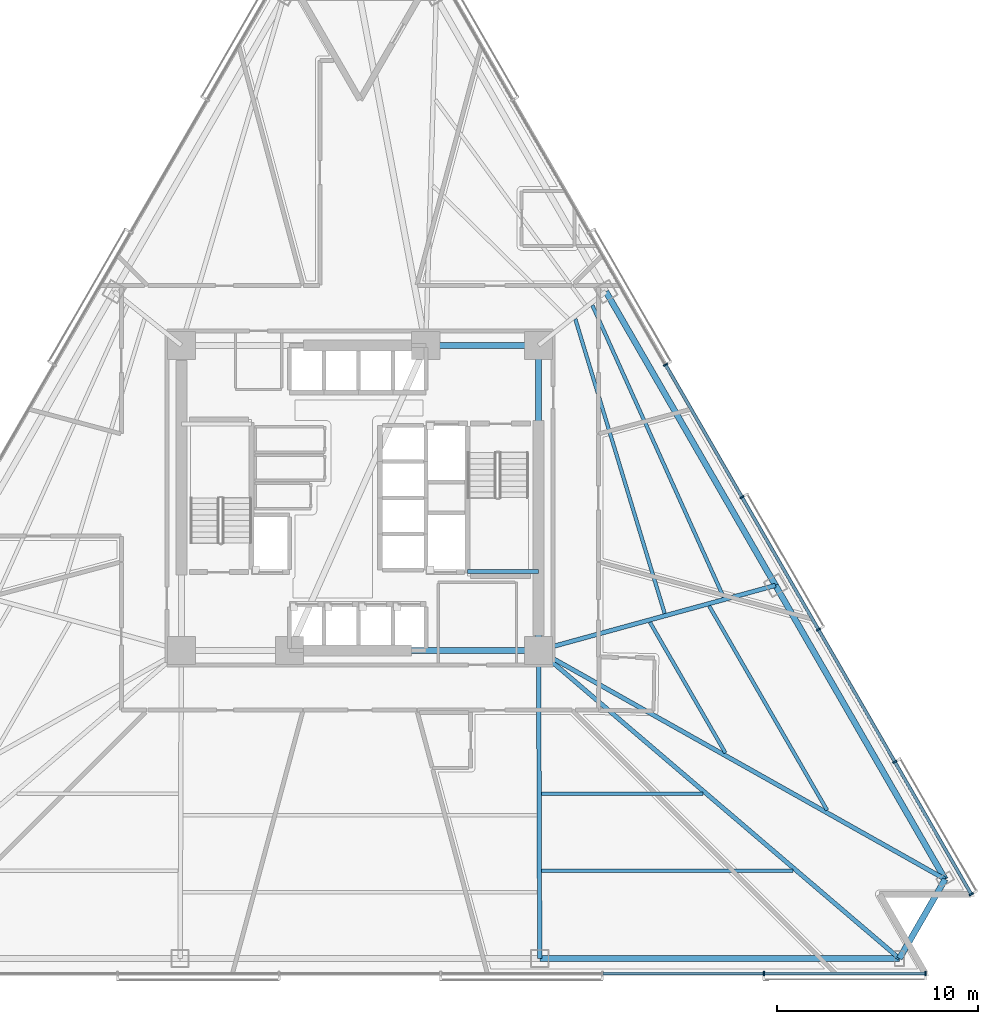
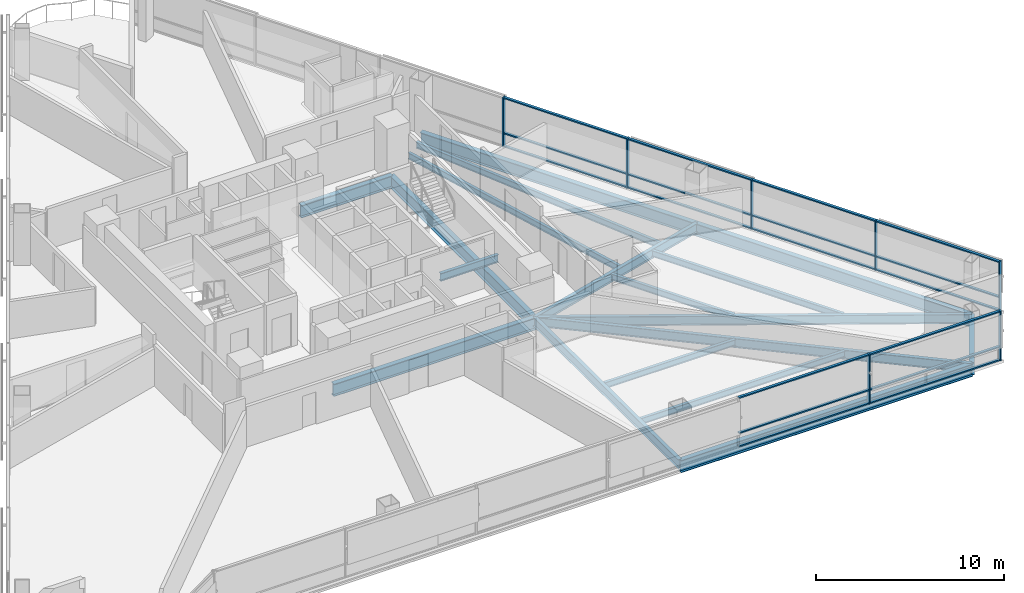
# One storey, part 4 of 16: 25 members, 18 beams, 2 elements without a shape of their own.
"""IFC4 building model written with IfcOpenShell, lengths in metres."""

import ifcopenshell
import ifcopenshell.guid

model = None  # the IFC model being written
_history = None  # IfcOwnerHistory: only IFC2X3 demands one
_inside = {}  # id of a spatial element -> (the spatial element, [elements in it])
_under = {}  # id of a project, library or spatial element -> (it, [spatial elements below it])
_declared = {}  # id of a project -> (the project, [libraries it declares])
_typed = {}  # id of a type object -> (the type object, [elements of that type])
_made_of = {}  # id of a material, layer set ... -> (it, [elements and type objects made of it])


def new_model(schema):
    """Start an empty IFC model of exactly this schema.

    Asked for "IFC4X3", IfcOpenShell would pick the latest addendum, in which some entities
    have other attributes; the version numbers below select the first issue.
    IFC2X3 requires an IfcOwnerHistory on every rooted entity: one is made here for all.
    """
    global model, _history
    if schema == "IFC4X3":
        model = ifcopenshell.file(schema_version=(4, 3, 0, 0))
    else:
        model = ifcopenshell.file(schema=schema)
    _inside.clear()
    _under.clear()
    _declared.clear()
    _typed.clear()
    _made_of.clear()
    _history = None
    if model.schema == "IFC2X3":
        org = make("IfcOrganization", Name="unknown")
        user = make(
            "IfcPersonAndOrganization",
            ThePerson=make("IfcPerson", FamilyName="unknown"),
            TheOrganization=org,
        )
        app = make(
            "IfcApplication",
            ApplicationDeveloper=org,
            Version="unknown",
            ApplicationFullName="unknown",
            ApplicationIdentifier="unknown",
        )
        _history = make(
            "IfcOwnerHistory",
            OwningUser=user,
            OwningApplication=app,
            ChangeAction="ADDED",
            CreationDate=0,
        )
    return model


def make(cls, **values):
    """One entity of the class cls with the attributes given. An attribute that is None is left unset."""
    return model.create_entity(
        cls, **{name: value for name, value in values.items() if value is not None}
    )


def rooted(cls, **values):
    """An entity with a GlobalId (a new one), such as an element, a storey or a relation."""
    return make(cls, GlobalId=ifcopenshell.guid.new(), OwnerHistory=_history, **values)


def si_unit(unit_type, name, prefix=None):
    """IfcSIUnit, for example si_unit("LENGTHUNIT", "METRE", prefix="MILLI")."""
    return make("IfcSIUnit", UnitType=unit_type, Prefix=prefix, Name=name)


def assignment(units):
    """IfcUnitAssignment: the units of a project."""
    return None if units is None else make("IfcUnitAssignment", Units=units)


def point(xyz):
    """IfcCartesianPoint."""
    return None if xyz is None else make("IfcCartesianPoint", Coordinates=xyz)


def direction(xyz):
    """IfcDirection."""
    return None if xyz is None else make("IfcDirection", DirectionRatios=xyz)


def frame(location, z_axis=None, x_axis=None):
    """IfcAxis2Placement3D, a coordinate frame: its origin and axes. An axis left out is left unset."""
    return make(
        "IfcAxis2Placement3D",
        Location=point(location),
        Axis=direction(z_axis),
        RefDirection=direction(x_axis),
    )


def frame_2d(location, x_axis=None):
    """IfcAxis2Placement2D, a coordinate frame in the plane: its origin and x axis."""
    return make(
        "IfcAxis2Placement2D", Location=point(location), RefDirection=direction(x_axis)
    )


def origin():
    """The frame at (0, 0, 0) with its axes left unset."""
    return frame((0.0, 0.0, 0.0))


def origin_2d():
    """The frame at (0, 0) in the plane with its x axis left unset."""
    return frame_2d((0.0, 0.0))


def place(relative_to, where):
    """IfcLocalPlacement: puts the frame where relative to a parent placement (None: the world)."""
    return make(
        "IfcLocalPlacement", PlacementRelTo=relative_to, RelativePlacement=where
    )


def context(
    kind, dimensions, precision=None, world=None, true_north=None, identifier=None
):
    """IfcGeometricRepresentationContext, for example the 3D "Model" context."""
    return make(
        "IfcGeometricRepresentationContext",
        ContextIdentifier=identifier,
        ContextType=kind,
        CoordinateSpaceDimension=dimensions,
        Precision=precision,
        WorldCoordinateSystem=world,
        TrueNorth=true_north,
    )


def subcontext(parent, identifier, kind, view, scale=None):
    """IfcGeometricRepresentationSubContext, for example "Body" below "Model"."""
    return make(
        "IfcGeometricRepresentationSubContext",
        ContextIdentifier=identifier,
        ContextType=kind,
        ParentContext=parent,
        TargetScale=scale,
        TargetView=view,
    )


def project(units=None, contexts=None):
    """IfcProject with its units and contexts."""
    return rooted(
        "IfcProject",
        Name="project",
        RepresentationContexts=contexts,
        UnitsInContext=assignment(units),
    )


def spatial(cls, under=None, at=None, **own):
    """A site, building, storey or space (cls), placed at a placement, below another one or the project."""
    s = rooted(cls, ObjectPlacement=at, **own)
    if under is not None:
        _under.setdefault(under.id(), (under, []))[1].append(s)
    return s


def profile(cls, at=None, kind="AREA", **sizes):
    """A parametric profile (cls). Its sizes go by their IFC names, for example OverallWidth=200.0."""
    return make(cls, ProfileType=kind, Position=at, **sizes)


def rectangle(**sizes):
    """IfcRectangleProfileDef."""
    return profile("IfcRectangleProfileDef", **sizes)


def i_section(**sizes):
    """IfcIShapeProfileDef."""
    return profile("IfcIShapeProfileDef", **sizes)


def extrude(swept, where, along, depth):
    """IfcExtrudedAreaSolid: the profile swept, set in the frame where, extruded along a direction by depth."""
    return make(
        "IfcExtrudedAreaSolid",
        SweptArea=swept,
        Position=where,
        ExtrudedDirection=direction(along),
        Depth=depth,
    )


def shape(context_of_items, identifier, shape_type, items):
    """IfcShapeRepresentation: the items that make up one representation, for example the "Body"."""
    return make(
        "IfcShapeRepresentation",
        ContextOfItems=context_of_items,
        RepresentationIdentifier=identifier,
        RepresentationType=shape_type,
        Items=items,
    )


def material(Name=None, Category=None):
    """IfcMaterial."""
    return make("IfcMaterial", Name=Name, Category=Category)


def layer(
    of_material, thickness, ventilated=None, Name=None, Category=None, Priority=None
):
    """IfcMaterialLayer: one layer of a wall or slab, of a material (None: an air gap)."""
    return make(
        "IfcMaterialLayer",
        Material=of_material,
        LayerThickness=thickness,
        IsVentilated=ventilated,
        Name=Name,
        Category=Category,
        Priority=Priority,
    )


def layer_set(layers, Name=None):
    """IfcMaterialLayerSet."""
    return make("IfcMaterialLayerSet", MaterialLayers=layers, LayerSetName=Name)


def material_profile(
    of_material, cross_section, Name=None, Category=None, Priority=None
):
    """IfcMaterialProfile: a cross section and its material."""
    return make(
        "IfcMaterialProfile",
        Name=Name,
        Material=of_material,
        Profile=cross_section,
        Priority=Priority,
        Category=Category,
    )


def profile_set(profiles, Name=None, composite=None):
    """IfcMaterialProfileSet."""
    return make(
        "IfcMaterialProfileSet",
        Name=Name,
        MaterialProfiles=profiles,
        CompositeProfile=composite,
    )


def made_of(thing, what):
    """Note that an element or type object is made of a material, layer set ...; save() writes the relation."""
    if what is not None:
        _made_of.setdefault(what.id(), (what, []))[1].append(thing)
    return thing


def type_object(cls, material=None, **own):
    """A type object (cls), such as IfcWallType, which elements share."""
    return made_of(rooted(cls, **own), material)


def element(
    cls,
    number,
    at=None,
    inside=None,
    cuts=None,
    type_object=None,
    material=None,
    context=None,
    identifier="Body",
    shape_type=None,
    held_by="IfcProductDefinitionShape",
    body=None,
    shapes=None,
    **own,
):
    """One element of the class cls, such as IfcWall. Its Tag is "e" and its number.

    at: its placement. inside: the storey or other place that contains it. cuts: it is an
    opening in that element (IfcRelVoidsElement). A single representation is given by context,
    identifier, shape_type and body (its items); several are given by shapes. held_by: the class
    of the entity that holds the representations. save() writes the other relations.
    """
    e = rooted(cls, Tag="e%d" % number, ObjectPlacement=at, **own)
    if body is not None:
        shapes = [shape(context, identifier, shape_type, body)]
    if shapes is not None:
        e.Representation = make(held_by, Representations=shapes)
    if inside is not None:
        _inside.setdefault(inside.id(), (inside, []))[1].append(e)
    if cuts is not None:
        rooted(
            "IfcRelVoidsElement", RelatingBuildingElement=cuts, RelatedOpeningElement=e
        )
    if type_object is not None:
        _typed.setdefault(type_object.id(), (type_object, []))[1].append(e)
    return made_of(e, material)


def aggregate(whole, parts):
    """IfcRelAggregates: a whole, such as a stair, and the parts it consists of."""
    return rooted("IfcRelAggregates", RelatingObject=whole, RelatedObjects=parts)


def save(model, path):
    """Write the relations noted so far, then the file.

    IfcRelAggregates (storeys below a building ...), IfcRelContainedInSpatialStructure (elements
    in a storey), IfcRelDefinesByType, IfcRelAssociatesMaterial and IfcRelDeclares: one each for
    every whole, place, type object, material and project.
    """
    for whole, parts in _under.values():
        aggregate(whole, parts)
    for where, things in _inside.values():
        rooted(
            "IfcRelContainedInSpatialStructure",
            RelatedElements=things,
            RelatingStructure=where,
        )
    for kind, things in _typed.values():
        rooted("IfcRelDefinesByType", RelatedObjects=things, RelatingType=kind)
    for what, things in _made_of.values():
        rooted("IfcRelAssociatesMaterial", RelatedObjects=things, RelatingMaterial=what)
    for by, libraries in _declared.values():
        rooted("IfcRelDeclares", RelatingContext=by, RelatedDefinitions=libraries)
    model.write(path)


model = new_model("IFC4")

# Units and contexts
model_context = context("Model", 3, precision=1e-05, world=origin(), true_north=direction((0.0, 1.0)))
body_context = subcontext(model_context, "Body", "Model", "MODEL_VIEW")
ifc_project = project(units=[si_unit("LENGTHUNIT", "METRE"), si_unit("AREAUNIT", "SQUARE_METRE"), si_unit("VOLUMEUNIT", "CUBIC_METRE"), si_unit("PLANEANGLEUNIT", "RADIAN"), si_unit("MASSUNIT", "GRAM", prefix="KILO")], contexts=[model_context])

# Site, building, storey
site_placement = place(None, origin())
site = spatial("IfcSite", under=ifc_project, at=site_placement, CompositionType="ELEMENT")
building_placement = place(site_placement, origin())
building = spatial("IfcBuilding", under=site, at=building_placement, Name="Tharavind Bronze Gate", CompositionType="ELEMENT")
storey_placement = place(building_placement, frame((0.0, 0.0, 48.85009765625)))
storey = spatial("IfcBuildingStorey", under=building, at=storey_placement, Name="L11", CompositionType="ELEMENT", Elevation=48.85009765625)

# Curtain wall, members
ifc_material_1 = material(Name="Anodised Bronze Aluminium", Category="aluminium")
ifc_layer = layer(ifc_material_1, 0.219970703125)
ifc_layer_set = layer_set([ifc_layer], Name="Anodised Bronze Aluminium")
curtain_wall_type = type_object("IfcCurtainWallType", Name="UNITISED CURTAIN WALL HOTEL", PredefinedType="USERDEFINED", material=ifc_layer_set)
curtain_wall_1_placement = place(storey_placement, origin())
curtain_wall_1 = element("IfcCurtainWall", 1, at=curtain_wall_1_placement, inside=storey, type_object=curtain_wall_type, Name="L11 unitised curtain wall hotel CW-L11-S2", ObjectType="UNITISED CURTAIN WALL", PredefinedType="USERDEFINED")
member_type_1 = type_object("IfcMemberType", Name="CURTAIN WALL MULLION 80X220", PredefinedType="MULLION", material=ifc_material_1)
member_1_placement = place(storey_placement, frame((20.12548828125, -23.699951171875, -0.000244140625), z_axis=(0.0, 0.0, 1.0), x_axis=(1.0, 0.0, 0.0)))
member_1 = element("IfcMember", 2, at=member_1_placement, type_object=member_type_1, Name="CW-L11-S2 mullion 7", PredefinedType="MULLION", context=body_context, shape_type="SweptSolid", body=[
    extrude(rectangle(XDim=0.080078125, YDim=0.219970703125, at=origin_2d()), origin(), (0.0, 0.0, 1.0), 3.22509765625),
])
member_2_placement = place(storey_placement, frame((28.17578125, -23.699951171875, -0.000244140625), z_axis=(0.0, 0.0, 1.0), x_axis=(1.0, 0.0, 0.0)))
member_2 = element("IfcMember", 3, at=member_2_placement, type_object=member_type_1, Name="CW-L11-S2 mullion 8", PredefinedType="MULLION", context=body_context, shape_type="SweptSolid", body=[
    extrude(rectangle(XDim=0.080078125, YDim=0.219970703125, at=origin_2d()), origin(), (0.0, 0.0, 1.0), 3.22509765625),
])

curtain_wall_2_placement = place(storey_placement, origin())
curtain_wall_2 = element("IfcCurtainWall", 4, at=curtain_wall_2_placement, inside=storey, type_object=curtain_wall_type, Name="L11 unitised curtain wall hotel CW-L11-S3", ObjectType="UNITISED CURTAIN WALL", PredefinedType="USERDEFINED")
member_3_placement = place(storey_placement, frame((30.455810546875, -19.7509765625, -0.000244140625), z_axis=(0.0, 0.0, 1.0), x_axis=(-0.500001511499, 0.866024531118, 0.0)))
member_3 = element("IfcMember", 5, at=member_3_placement, type_object=member_type_1, Name="CW-L11-S3 mullion 1", PredefinedType="MULLION", context=body_context, shape_type="SweptSolid", body=[
    extrude(rectangle(XDim=0.080078125, YDim=0.219970703125, at=origin_2d()), origin(), (0.0, 0.0, 1.0), 3.22509765625),
])
member_4_placement = place(storey_placement, frame((26.647705078125, -13.1552734375, -0.000244140625), z_axis=(0.0, 0.0, 1.0), x_axis=(-0.500001511499, 0.866024531118, 0.0)))
member_4 = element("IfcMember", 6, at=member_4_placement, type_object=member_type_1, Name="CW-L11-S3 mullion 2", PredefinedType="MULLION", context=body_context, shape_type="SweptSolid", body=[
    extrude(rectangle(XDim=0.080078125, YDim=0.219970703125, at=origin_2d()), origin(), (0.0, 0.0, 1.0), 3.22509765625),
])
member_5_placement = place(storey_placement, frame((22.83984375, -6.559814453125, -0.000244140625), z_axis=(0.0, 0.0, 1.0), x_axis=(-0.500001511499, 0.866024531118, 0.0)))
member_5 = element("IfcMember", 7, at=member_5_placement, type_object=member_type_1, Name="CW-L11-S3 mullion 3", PredefinedType="MULLION", context=body_context, shape_type="SweptSolid", body=[
    extrude(rectangle(XDim=0.080078125, YDim=0.219970703125, at=origin_2d()), origin(), (0.0, 0.0, 1.0), 3.22509765625),
])
member_6_placement = place(storey_placement, frame((19.031982421875, 0.035888671875, -0.000244140625), z_axis=(0.0, 0.0, 1.0), x_axis=(-0.500001511499, 0.866024531118, 0.0)))
member_6 = element("IfcMember", 8, at=member_6_placement, type_object=member_type_1, Name="CW-L11-S3 mullion 4", PredefinedType="MULLION", context=body_context, shape_type="SweptSolid", body=[
    extrude(rectangle(XDim=0.080078125, YDim=0.219970703125, at=origin_2d()), origin(), (0.0, 0.0, 1.0), 3.22509765625),
])
member_7_placement = place(storey_placement, frame((15.223876953125, 6.63134765625, -0.000244140625), z_axis=(0.0, 0.0, 1.0), x_axis=(-0.500001511499, 0.866024531118, 0.0)))
member_7 = element("IfcMember", 9, at=member_7_placement, type_object=member_type_1, Name="CW-L11-S3 mullion 5", PredefinedType="MULLION", context=body_context, shape_type="SweptSolid", body=[
    extrude(rectangle(XDim=0.080078125, YDim=0.219970703125, at=origin_2d()), origin(), (0.0, 0.0, 1.0), 3.22509765625),
])

# Member
member_type_2 = type_object("IfcMemberType", Name="CURTAIN WALL TRANSOM 80X160", PredefinedType="USERDEFINED", material=ifc_material_1)
member_8_placement = place(storey_placement, frame((16.1005859375, -23.699951171875, -0.000244140625), z_axis=(0.0, 0.0, 1.0), x_axis=(1.0, 0.0, 0.0)))
member_8 = element("IfcMember", 10, at=member_8_placement, type_object=member_type_2, Name="CW-L11-S2 transom TB6", ObjectType="TRANSOM", PredefinedType="USERDEFINED", context=body_context, shape_type="SweptSolid", body=[
    extrude(rectangle(XDim=7.982177734375, YDim=0.159912109375, at=origin_2d()), origin(), (0.0, 0.0, 1.0), 0.080078125),
])

member_9_placement = place(storey_placement, frame((16.1005859375, -23.699951171875, 0.85986328125), z_axis=(0.0, 0.0, 1.0), x_axis=(1.0, 0.0, 0.0)))
member_9 = element("IfcMember", 11, at=member_9_placement, type_object=member_type_2, Name="CW-L11-S2 transom TS6", ObjectType="TRANSOM", PredefinedType="USERDEFINED", context=body_context, shape_type="SweptSolid", body=[
    extrude(rectangle(XDim=7.982177734375, YDim=0.159912109375, at=origin_2d()), origin(), (0.0, 0.0, 1.0), 0.080078125),
])

member_10_placement = place(storey_placement, frame((16.1005859375, -23.699951171875, 3.144775390625), z_axis=(0.0, 0.0, 1.0), x_axis=(1.0, 0.0, 0.0)))
member_10 = element("IfcMember", 12, at=member_10_placement, type_object=member_type_2, Name="CW-L11-S2 transom TT6", ObjectType="TRANSOM", PredefinedType="USERDEFINED", context=body_context, shape_type="SweptSolid", body=[
    extrude(rectangle(XDim=7.982177734375, YDim=0.159912109375, at=origin_2d()), origin(), (0.0, 0.0, 1.0), 0.080078125),
])

member_11_placement = place(storey_placement, frame((24.150634765625, -23.699951171875, -0.000244140625), z_axis=(0.0, 0.0, 1.0), x_axis=(1.0, 0.0, 0.0)))
member_11 = element("IfcMember", 13, at=member_11_placement, type_object=member_type_2, Name="CW-L11-S2 transom TB7", ObjectType="TRANSOM", PredefinedType="USERDEFINED", context=body_context, shape_type="SweptSolid", body=[
    extrude(rectangle(XDim=7.982177734375, YDim=0.159912109375, at=origin_2d()), origin(), (0.0, 0.0, 1.0), 0.080078125),
])

member_12_placement = place(storey_placement, frame((24.150634765625, -23.699951171875, 0.85986328125), z_axis=(0.0, 0.0, 1.0), x_axis=(1.0, 0.0, 0.0)))
member_12 = element("IfcMember", 14, at=member_12_placement, type_object=member_type_2, Name="CW-L11-S2 transom TS7", ObjectType="TRANSOM", PredefinedType="USERDEFINED", context=body_context, shape_type="SweptSolid", body=[
    extrude(rectangle(XDim=7.982177734375, YDim=0.159912109375, at=origin_2d()), origin(), (0.0, 0.0, 1.0), 0.080078125),
])

member_13_placement = place(storey_placement, frame((24.150634765625, -23.699951171875, 3.144775390625), z_axis=(0.0, 0.0, 1.0), x_axis=(1.0, 0.0, 0.0)))
member_13 = element("IfcMember", 15, at=member_13_placement, type_object=member_type_2, Name="CW-L11-S2 transom TT7", ObjectType="TRANSOM", PredefinedType="USERDEFINED", context=body_context, shape_type="SweptSolid", body=[
    extrude(rectangle(XDim=7.982177734375, YDim=0.159912109375, at=origin_2d()), origin(), (0.0, 0.0, 1.0), 0.080078125),
])

aggregate(curtain_wall_1, [member_1, member_2, member_8, member_9, member_10, member_11, member_12, member_13])

member_14_placement = place(storey_placement, frame((28.5517578125, -16.453125, -0.000244140625), z_axis=(0.0, 0.0, 1.0), x_axis=(-0.500001511499, 0.866024531118, 0.0)))
member_14 = element("IfcMember", 16, at=member_14_placement, type_object=member_type_2, Name="CW-L11-S3 transom TB1", ObjectType="TRANSOM", PredefinedType="USERDEFINED", context=body_context, shape_type="SweptSolid", body=[
    extrude(rectangle(XDim=7.5478515625, YDim=0.159912109375, at=origin_2d()), origin(), (0.0, 0.0, 1.0), 0.080078125),
])

member_15_placement = place(storey_placement, frame((28.5517578125, -16.453125, 0.85986328125), z_axis=(0.0, 0.0, 1.0), x_axis=(-0.500001511499, 0.866024531118, 0.0)))
member_15 = element("IfcMember", 17, at=member_15_placement, type_object=member_type_2, Name="CW-L11-S3 transom TS1", ObjectType="TRANSOM", PredefinedType="USERDEFINED", context=body_context, shape_type="SweptSolid", body=[
    extrude(rectangle(XDim=7.5478515625, YDim=0.159912109375, at=origin_2d()), origin(), (0.0, 0.0, 1.0), 0.080078125),
])

member_16_placement = place(storey_placement, frame((28.5517578125, -16.453125, 3.144775390625), z_axis=(0.0, 0.0, 1.0), x_axis=(-0.500001511499, 0.866024531118, 0.0)))
member_16 = element("IfcMember", 18, at=member_16_placement, type_object=member_type_2, Name="CW-L11-S3 transom TT1", ObjectType="TRANSOM", PredefinedType="USERDEFINED", context=body_context, shape_type="SweptSolid", body=[
    extrude(rectangle(XDim=7.5478515625, YDim=0.159912109375, at=origin_2d()), origin(), (0.0, 0.0, 1.0), 0.080078125),
])

member_17_placement = place(storey_placement, frame((24.743896484375, -9.857421875, -0.000244140625), z_axis=(0.0, 0.0, 1.0), x_axis=(-0.500001511499, 0.866024531118, 0.0)))
member_17 = element("IfcMember", 19, at=member_17_placement, type_object=member_type_2, Name="CW-L11-S3 transom TB2", ObjectType="TRANSOM", PredefinedType="USERDEFINED", context=body_context, shape_type="SweptSolid", body=[
    extrude(rectangle(XDim=7.5478515625, YDim=0.159912109375, at=origin_2d()), origin(), (0.0, 0.0, 1.0), 0.080078125),
])

member_18_placement = place(storey_placement, frame((24.743896484375, -9.857421875, 0.85986328125), z_axis=(0.0, 0.0, 1.0), x_axis=(-0.500001511499, 0.866024531118, 0.0)))
member_18 = element("IfcMember", 20, at=member_18_placement, type_object=member_type_2, Name="CW-L11-S3 transom TS2", ObjectType="TRANSOM", PredefinedType="USERDEFINED", context=body_context, shape_type="SweptSolid", body=[
    extrude(rectangle(XDim=7.5478515625, YDim=0.159912109375, at=origin_2d()), origin(), (0.0, 0.0, 1.0), 0.080078125),
])

member_19_placement = place(storey_placement, frame((24.743896484375, -9.857421875, 3.144775390625), z_axis=(0.0, 0.0, 1.0), x_axis=(-0.500001511499, 0.866024531118, 0.0)))
member_19 = element("IfcMember", 21, at=member_19_placement, type_object=member_type_2, Name="CW-L11-S3 transom TT2", ObjectType="TRANSOM", PredefinedType="USERDEFINED", context=body_context, shape_type="SweptSolid", body=[
    extrude(rectangle(XDim=7.5478515625, YDim=0.159912109375, at=origin_2d()), origin(), (0.0, 0.0, 1.0), 0.080078125),
])

member_20_placement = place(storey_placement, frame((20.935791015625, -3.261962890625, -0.000244140625), z_axis=(0.0, 0.0, 1.0), x_axis=(-0.500001511499, 0.866024531118, 0.0)))
member_20 = element("IfcMember", 22, at=member_20_placement, type_object=member_type_2, Name="CW-L11-S3 transom TB3", ObjectType="TRANSOM", PredefinedType="USERDEFINED", context=body_context, shape_type="SweptSolid", body=[
    extrude(rectangle(XDim=7.5478515625, YDim=0.159912109375, at=origin_2d()), origin(), (0.0, 0.0, 1.0), 0.080078125),
])

member_21_placement = place(storey_placement, frame((20.935791015625, -3.261962890625, 0.85986328125), z_axis=(0.0, 0.0, 1.0), x_axis=(-0.500001511499, 0.866024531118, 0.0)))
member_21 = element("IfcMember", 23, at=member_21_placement, type_object=member_type_2, Name="CW-L11-S3 transom TS3", ObjectType="TRANSOM", PredefinedType="USERDEFINED", context=body_context, shape_type="SweptSolid", body=[
    extrude(rectangle(XDim=7.5478515625, YDim=0.159912109375, at=origin_2d()), origin(), (0.0, 0.0, 1.0), 0.080078125),
])

member_22_placement = place(storey_placement, frame((20.935791015625, -3.261962890625, 3.144775390625), z_axis=(0.0, 0.0, 1.0), x_axis=(-0.500001511499, 0.866024531118, 0.0)))
member_22 = element("IfcMember", 24, at=member_22_placement, type_object=member_type_2, Name="CW-L11-S3 transom TT3", ObjectType="TRANSOM", PredefinedType="USERDEFINED", context=body_context, shape_type="SweptSolid", body=[
    extrude(rectangle(XDim=7.5478515625, YDim=0.159912109375, at=origin_2d()), origin(), (0.0, 0.0, 1.0), 0.080078125),
])

member_23_placement = place(storey_placement, frame((17.1279296875, 3.33349609375, -0.000244140625), z_axis=(0.0, 0.0, 1.0), x_axis=(-0.500001511499, 0.866024531118, 0.0)))
member_23 = element("IfcMember", 25, at=member_23_placement, type_object=member_type_2, Name="CW-L11-S3 transom TB4", ObjectType="TRANSOM", PredefinedType="USERDEFINED", context=body_context, shape_type="SweptSolid", body=[
    extrude(rectangle(XDim=7.5478515625, YDim=0.159912109375, at=origin_2d()), origin(), (0.0, 0.0, 1.0), 0.080078125),
])

member_24_placement = place(storey_placement, frame((17.1279296875, 3.33349609375, 0.85986328125), z_axis=(0.0, 0.0, 1.0), x_axis=(-0.500001511499, 0.866024531118, 0.0)))
member_24 = element("IfcMember", 26, at=member_24_placement, type_object=member_type_2, Name="CW-L11-S3 transom TS4", ObjectType="TRANSOM", PredefinedType="USERDEFINED", context=body_context, shape_type="SweptSolid", body=[
    extrude(rectangle(XDim=7.5478515625, YDim=0.159912109375, at=origin_2d()), origin(), (0.0, 0.0, 1.0), 0.080078125),
])

member_25_placement = place(storey_placement, frame((17.1279296875, 3.33349609375, 3.144775390625), z_axis=(0.0, 0.0, 1.0), x_axis=(-0.500001511499, 0.866024531118, 0.0)))
member_25 = element("IfcMember", 27, at=member_25_placement, type_object=member_type_2, Name="CW-L11-S3 transom TT4", ObjectType="TRANSOM", PredefinedType="USERDEFINED", context=body_context, shape_type="SweptSolid", body=[
    extrude(rectangle(XDim=7.5478515625, YDim=0.159912109375, at=origin_2d()), origin(), (0.0, 0.0, 1.0), 0.080078125),
])

aggregate(curtain_wall_2, [member_3, member_4, member_5, member_6, member_7, member_14, member_15, member_16, member_17, member_18, member_19, member_20, member_21, member_22, member_23, member_24, member_25])

# Beams
ifc_material_2 = material(Name="Steel S355", Category="steel")
ifc_material_profile_1 = material_profile(ifc_material_2, i_section(OverallWidth=0.199951171875, OverallDepth=0.5, WebThickness=0.01025390625, FlangeThickness=0.01611328125, at=origin_2d()), Name="IPE500")
ifc_profile_set_1 = profile_set([ifc_material_profile_1], Name="Steel S355")
beam_type_1 = type_object("IfcBeamType", Name="PRIMARY GIRDER IPE500", PredefinedType="USERDEFINED", material=ifc_profile_set_1)
beam_1_placement = place(storey_placement, frame((5.35009765625, -3.679931640625, 1.25), z_axis=(1.0, 0.0, 0.0), x_axis=(0.0, 1.0, 0.0)))
element("IfcBeam", 28, at=beam_1_placement, inside=storey, type_object=beam_type_1, Name="L11 primary girder ipe500 BM-LD-ST2-L11-1", ObjectType="GIRDER", PredefinedType="USERDEFINED", context=body_context, shape_type="SweptSolid", body=[
    extrude(i_section(OverallWidth=0.199951171875, OverallDepth=0.5, WebThickness=0.01025390625, FlangeThickness=0.01611328125, at=origin_2d()), origin(), (0.0, 0.0, 1.0), 3.5498046875),
])
ifc_material_profile_2 = material_profile(ifc_material_2, i_section(OverallWidth=0.219970703125, OverallDepth=0.60009765625, WebThickness=0.011962890625, FlangeThickness=0.01904296875, at=origin_2d()), Name="IPE600")
ifc_profile_set_2 = profile_set([ifc_material_profile_2], Name="Steel S355")
beam_type_2 = type_object("IfcBeamType", Name="PRIMARY GIRDER IPE600", PredefinedType="USERDEFINED", material=ifc_profile_set_2)
beam_2_placement = place(storey_placement, frame((8.958984375, -22.949951171875, -0.47509765625), z_axis=(-0.003849000484, 0.99999259257, 0.0), x_axis=(-0.99999259257, -0.003849000484, 0.0)))
element("IfcBeam", 29, at=beam_2_placement, inside=storey, type_object=beam_type_2, Name="L11 primary girder ipe600 BM-L11-RAD07", ObjectType="GIRDER", PredefinedType="USERDEFINED", context=body_context, shape_type="SweptSolid", body=[
    extrude(i_section(OverallWidth=0.219970703125, OverallDepth=0.60009765625, WebThickness=0.011962890625, FlangeThickness=0.01904296875, at=origin_2d()), origin(), (0.0, 0.0, 1.0), 15.349853515625),
])
beam_3_placement = place(storey_placement, frame((26.876708984375, -22.949951171875, -0.47509765625), z_axis=(-0.76048513475, 0.649355341723, 0.0), x_axis=(-0.649355341723, -0.76048513475, 0.0)))
element("IfcBeam", 30, at=beam_3_placement, inside=storey, type_object=beam_type_2, Name="L11 primary girder ipe600 BM-L11-RAD08", ObjectType="GIRDER", PredefinedType="USERDEFINED", context=body_context, shape_type="SweptSolid", body=[
    extrude(i_section(OverallWidth=0.219970703125, OverallDepth=0.60009765625, WebThickness=0.011962890625, FlangeThickness=0.01904296875, at=origin_2d()), origin(), (0.0, 0.0, 1.0), 23.638671875),
])
beam_4_placement = place(storey_placement, frame((29.15673828125, -19.0009765625, -0.47509765625), z_axis=(-0.871457703454, 0.490470662824, 0.0), x_axis=(-0.490470662824, -0.871457703454, 0.0)))
element("IfcBeam", 31, at=beam_4_placement, inside=storey, type_object=beam_type_2, Name="L11 primary girder ipe600 BM-L11-RAD09", ObjectType="GIRDER", PredefinedType="USERDEFINED", context=body_context, shape_type="SweptSolid", body=[
    extrude(i_section(OverallWidth=0.219970703125, OverallDepth=0.60009765625, WebThickness=0.011962890625, FlangeThickness=0.01904296875, at=origin_2d()), origin(), (0.0, 0.0, 1.0), 23.244873046875),
])
beam_5_placement = place(storey_placement, frame((20.70458984375, -4.361083984375, -0.47509765625), z_axis=(-0.96435718827, -0.264603880228, 0.0), x_axis=(0.264603880228, -0.96435718827, 0.0)))
element("IfcBeam", 32, at=beam_5_placement, inside=storey, type_object=beam_type_2, Name="L11 primary girder ipe600 BM-L11-RAD10", ObjectType="GIRDER", PredefinedType="USERDEFINED", context=body_context, shape_type="SweptSolid", body=[
    extrude(i_section(OverallWidth=0.219970703125, OverallDepth=0.60009765625, WebThickness=0.011962890625, FlangeThickness=0.01904296875, at=origin_2d()), origin(), (0.0, 0.0, 1.0), 12.240966796875),
])
ifc_material_profile_3 = material_profile(ifc_material_2, i_section(OverallWidth=0.300048828125, OverallDepth=0.800048828125, WebThickness=0.017578125, FlangeThickness=0.032958984375, at=origin_2d()), Name="HE800B")
ifc_profile_set_3 = profile_set([ifc_material_profile_3], Name="Steel S355")
beam_type_3 = type_object("IfcBeamType", Name="RING GIRDER HE800B", PredefinedType="USERDEFINED", material=ifc_profile_set_3)
beam_6_placement = place(storey_placement, frame((-3.5, -7.60009765625, -0.5751953125), z_axis=(1.0, 0.0, 0.0), x_axis=(0.0, 1.0, 0.0)))
element("IfcBeam", 33, at=beam_6_placement, inside=storey, type_object=beam_type_3, Name="L11 ring girder he800b BM-L11-CR2", ObjectType="GIRDER", PredefinedType="USERDEFINED", context=body_context, shape_type="SweptSolid", body=[
    extrude(i_section(OverallWidth=0.300048828125, OverallDepth=0.800048828125, WebThickness=0.017578125, FlangeThickness=0.032958984375, at=origin_2d()), origin(), (0.0, 0.0, 1.0), 12.39990234375),
])
beam_7_placement = place(storey_placement, frame((8.89990234375, -7.60009765625, -0.5751953125), z_axis=(0.0, 1.0, 0.0), x_axis=(-1.0, 0.0, 0.0)))
element("IfcBeam", 34, at=beam_7_placement, inside=storey, type_object=beam_type_3, Name="L11 ring girder he800b BM-L11-CR3", ObjectType="GIRDER", PredefinedType="USERDEFINED", context=body_context, shape_type="SweptSolid", body=[
    extrude(i_section(OverallWidth=0.300048828125, OverallDepth=0.800048828125, WebThickness=0.017578125, FlangeThickness=0.032958984375, at=origin_2d()), origin(), (0.0, 0.0, 1.0), 15.2001953125),
])
beam_8_placement = place(storey_placement, frame((8.89990234375, 7.60009765625, -0.5751953125), z_axis=(-1.0, 0.0, 0.0), x_axis=(0.0, -1.0, 0.0)))
element("IfcBeam", 35, at=beam_8_placement, inside=storey, type_object=beam_type_3, Name="L11 ring girder he800b BM-L11-CR4", ObjectType="GIRDER", PredefinedType="USERDEFINED", context=body_context, shape_type="SweptSolid", body=[
    extrude(i_section(OverallWidth=0.300048828125, OverallDepth=0.800048828125, WebThickness=0.017578125, FlangeThickness=0.032958984375, at=origin_2d()), origin(), (0.0, 0.0, 1.0), 5.619873046875),
])
beam_9_placement = place(storey_placement, frame((8.958984375, -22.949951171875, -0.5751953125), z_axis=(1.0, 0.0, 0.0), x_axis=(0.0, 1.0, 0.0)))
element("IfcBeam", 36, at=beam_9_placement, inside=storey, type_object=beam_type_3, Name="L11 ring girder he800b BM-L11-PRG07", ObjectType="GIRDER", PredefinedType="USERDEFINED", context=body_context, shape_type="SweptSolid", body=[
    extrude(i_section(OverallWidth=0.300048828125, OverallDepth=0.800048828125, WebThickness=0.017578125, FlangeThickness=0.032958984375, at=origin_2d()), origin(), (0.0, 0.0, 1.0), 17.917724609375),
])
beam_10_placement = place(storey_placement, frame((26.876708984375, -22.949951171875, -0.5751953125), z_axis=(0.500014431597, 0.866017071537, 0.0), x_axis=(-0.866017071537, 0.500014431597, 0.0)))
element("IfcBeam", 37, at=beam_10_placement, inside=storey, type_object=beam_type_3, Name="L11 ring girder he800b BM-L11-PRG08", ObjectType="GIRDER", PredefinedType="USERDEFINED", context=body_context, shape_type="SweptSolid", body=[
    extrude(i_section(OverallWidth=0.300048828125, OverallDepth=0.800048828125, WebThickness=0.017578125, FlangeThickness=0.032958984375, at=origin_2d()), origin(), (0.0, 0.0, 1.0), 4.559814453125),
])
for number, where, z_axis, x_axis, name in (
    (38, (29.15673828125, -19.0009765625, -0.5751953125), (-0.4999912383, 0.866030462295, 0.0), (-0.866030462295, -0.4999912383, 0.0), "L11 ring girder he800b BM-L11-PRG09"),
    (39, (20.70458984375, -4.361083984375, -0.5751953125), (-0.50000832373, 0.866020598023, 0.0), (-0.866020598023, -0.50000832373, 0.0), "L11 ring girder he800b BM-L11-PRG10"),
):
    element("IfcBeam", number, at=place(storey_placement, frame(where, z_axis=z_axis, x_axis=x_axis)), inside=storey, type_object=beam_type_3, Name=name, ObjectType="GIRDER", PredefinedType="USERDEFINED", context=body_context, shape_type="SweptSolid", body=[
        extrude(i_section(OverallWidth=0.300048828125, OverallDepth=0.800048828125, WebThickness=0.017578125, FlangeThickness=0.032958984375, at=origin_2d()), origin(), (0.0, 0.0, 1.0), 16.904541015625),
    ])
ifc_material_profile_4 = material_profile(ifc_material_2, i_section(OverallWidth=0.179931640625, OverallDepth=0.39990234375, WebThickness=0.008544921875, FlangeThickness=0.013427734375, at=origin_2d()), Name="IPE400")
ifc_profile_set_4 = profile_set([ifc_material_profile_4], Name="Steel S355")
beam_type_4 = type_object("IfcBeamType", Name="SECONDARY FLOOR JOIST IPE400", PredefinedType="JOIST", material=ifc_profile_set_4)
beam_11_placement = place(storey_placement, frame((9.04150390625, -14.73779296875, -0.375), z_axis=(1.0, 0.0, 0.0), x_axis=(0.0, 1.0, 0.0)))
element("IfcBeam", 40, at=beam_11_placement, inside=storey, type_object=beam_type_4, Name="L11 secondary floor joist ipe400 BM-L11-JSTA07", PredefinedType="JOIST", context=body_context, shape_type="SweptSolid", body=[
    extrude(i_section(OverallWidth=0.179931640625, OverallDepth=0.39990234375, WebThickness=0.008544921875, FlangeThickness=0.013427734375, at=origin_2d()), origin(), (0.0, 0.0, 1.0), 8.044189453125),
])
beam_12_placement = place(storey_placement, frame((9.05615234375, -18.5751953125, -0.375), z_axis=(1.0, 0.0, 0.0), x_axis=(0.0, 1.0, 0.0)))
element("IfcBeam", 41, at=beam_12_placement, inside=storey, type_object=beam_type_4, Name="L11 secondary floor joist ipe400 BM-L11-JSTB07", PredefinedType="JOIST", context=body_context, shape_type="SweptSolid", body=[
    extrude(i_section(OverallWidth=0.179931640625, OverallDepth=0.39990234375, WebThickness=0.008544921875, FlangeThickness=0.013427734375, at=origin_2d()), origin(), (0.0, 0.0, 1.0), 12.52392578125),
])
beam_13_placement = place(storey_placement, frame((18.20947265625, -12.7109375, -0.375), z_axis=(-0.499995879736, 0.866027782607, 0.0), x_axis=(-0.866027782607, -0.499995879736, 0.0)))
element("IfcBeam", 42, at=beam_13_placement, inside=storey, type_object=beam_type_4, Name="L11 secondary floor joist ipe400 BM-L11-JSTA09", PredefinedType="JOIST", context=body_context, shape_type="SweptSolid", body=[
    extrude(i_section(OverallWidth=0.179931640625, OverallDepth=0.39990234375, WebThickness=0.008544921875, FlangeThickness=0.013427734375, at=origin_2d()), origin(), (0.0, 0.0, 1.0), 7.52294921875),
])
beam_14_placement = place(storey_placement, frame((23.273681640625, -15.561279296875, -0.375), z_axis=(-0.499996459651, 0.866027447796, 0.0), x_axis=(-0.866027447796, -0.499996459651, 0.0)))
element("IfcBeam", 43, at=beam_14_placement, inside=storey, type_object=beam_type_4, Name="L11 secondary floor joist ipe400 BM-L11-JSTB09", PredefinedType="JOIST", context=body_context, shape_type="SweptSolid", body=[
    extrude(i_section(OverallWidth=0.179931640625, OverallDepth=0.39990234375, WebThickness=0.008544921875, FlangeThickness=0.013427734375, at=origin_2d()), origin(), (0.0, 0.0, 1.0), 11.7490234375),
])
beam_15_placement = place(storey_placement, frame((15.182373046875, -5.758056640625, -0.375), z_axis=(-0.290410798392, 0.956902068227, 0.0), x_axis=(-0.956902068227, -0.290410798392, 0.0)))
element("IfcBeam", 44, at=beam_15_placement, inside=storey, type_object=beam_type_4, Name="L11 secondary floor joist ipe400 BM-L11-JSTA10", PredefinedType="JOIST", context=body_context, shape_type="SweptSolid", body=[
    extrude(i_section(OverallWidth=0.179931640625, OverallDepth=0.39990234375, WebThickness=0.008544921875, FlangeThickness=0.013427734375, at=origin_2d()), origin(), (0.0, 0.0, 1.0), 15.334716796875),
])
beam_16_placement = place(storey_placement, frame((18.119140625, -4.952392578125, -0.375), z_axis=(-0.40998786392, 0.91209097761, 0.0), x_axis=(-0.91209097761, -0.40998786392, 0.0)))
element("IfcBeam", 45, at=beam_16_placement, inside=storey, type_object=beam_type_4, Name="L11 secondary floor joist ipe400 BM-L11-JSTB10", PredefinedType="JOIST", context=body_context, shape_type="SweptSolid", body=[
    extrude(i_section(OverallWidth=0.179931640625, OverallDepth=0.39990234375, WebThickness=0.008544921875, FlangeThickness=0.013427734375, at=origin_2d()), origin(), (0.0, 0.0, 1.0), 15.949951171875),
])

save(model, "model.ifc")
